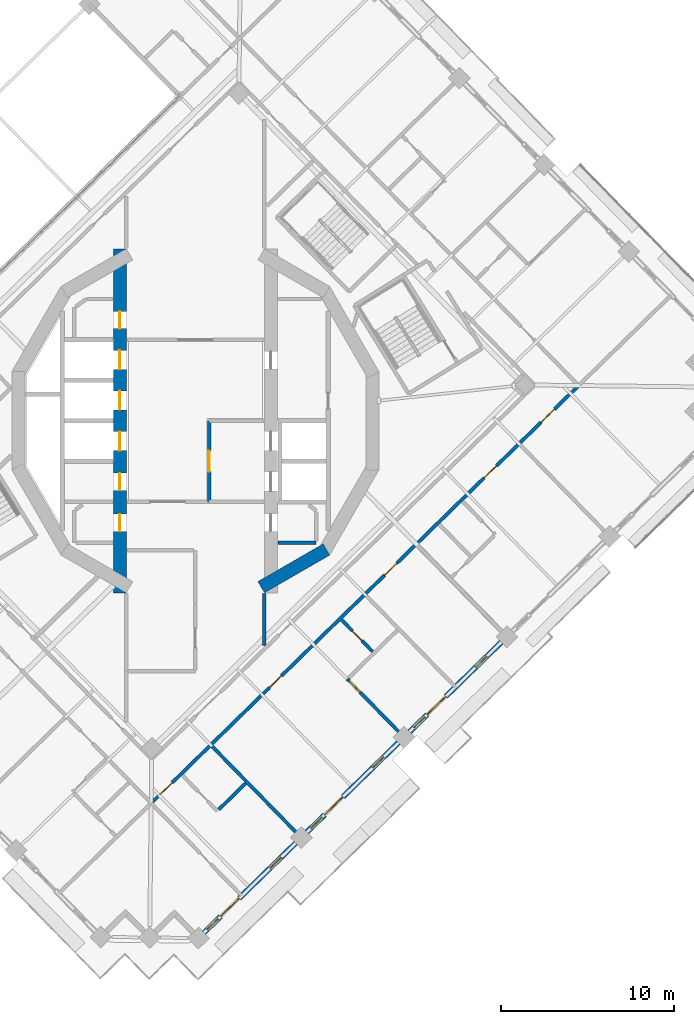
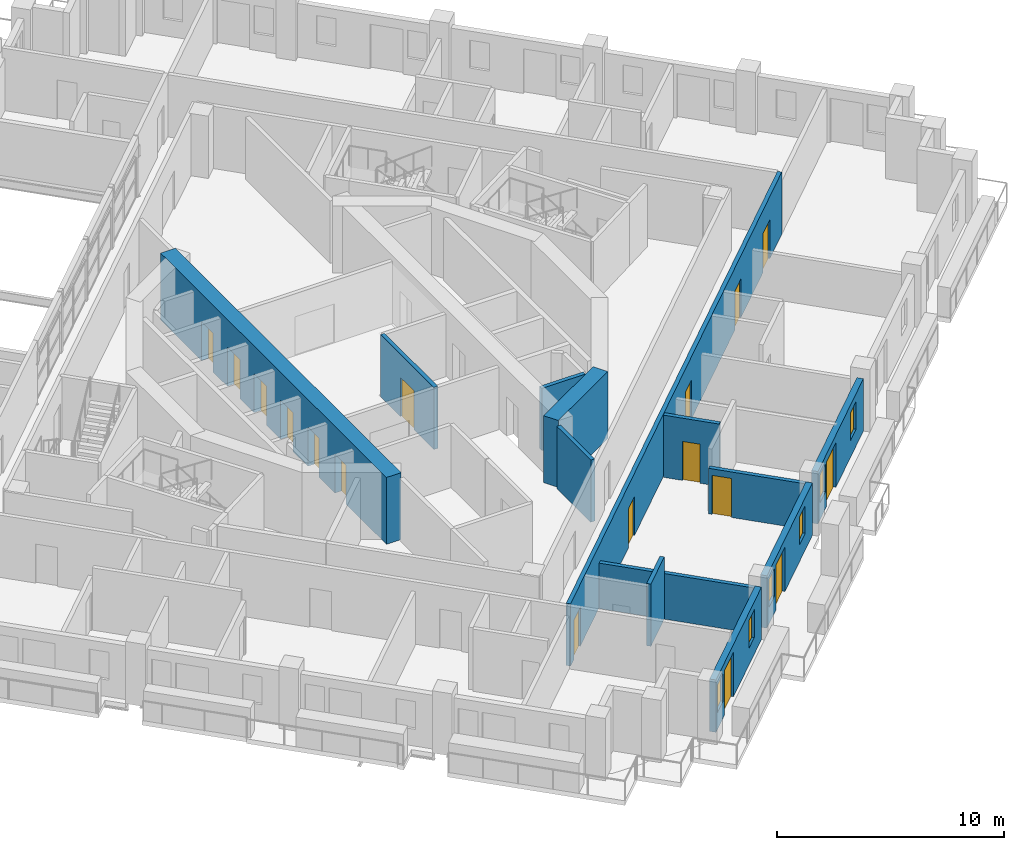
# One storey, part 7 of 19: 17 doors, 13 walls, 6 windows, 23 openings.
"""IFC4 building model written with IfcOpenShell, lengths in metres."""

from ifc_helpers import new_model, si_unit, direction, frame, frame_2d, origin, place, context, subcontext, project, spatial, rectangle, extrude, material, layer, layer_set, type_object, element, fill, save


model = new_model("IFC4")

# Units and contexts
model_context = context("Model", 3, precision=1e-05, world=origin(), true_north=direction((0.0, 1.0)))
body_context = subcontext(model_context, "Body", "Model", "MODEL_VIEW")
ifc_project = project(units=[si_unit("LENGTHUNIT", "METRE"), si_unit("AREAUNIT", "SQUARE_METRE"), si_unit("VOLUMEUNIT", "CUBIC_METRE"), si_unit("PLANEANGLEUNIT", "RADIAN"), si_unit("MASSUNIT", "GRAM", prefix="KILO")], contexts=[model_context])

# Site, building, storey
site_placement = place(None, origin())
site = spatial("IfcSite", under=ifc_project, at=site_placement, CompositionType="ELEMENT")
building_placement = place(site_placement, origin())
building = spatial("IfcBuilding", under=site, at=building_placement, Name="Cantera Rosa Tower", CompositionType="ELEMENT")
storey_placement = place(building_placement, frame((0.0, 0.0, 223.39990234375)))
storey = spatial("IfcBuildingStorey", under=building, at=storey_placement, Name="L48", CompositionType="ELEMENT", Elevation=223.39990234375)

# Wall, openings, doors
ifc_material_1 = material(Name="Gypsum board partition")
ifc_layer_1 = layer(ifc_material_1, 0.199951171875)
ifc_layer_set_1 = layer_set([ifc_layer_1], Name="CORRIDOR WALL 200 H3350")
wall_type_1 = type_object("IfcWallType", Name="CORRIDOR WALL 200 H3350", PredefinedType="PARTITIONING", material=ifc_layer_set_1)
wall_1_placement = place(storey_placement, frame((-2.469970703125, -22.0556640625, 0.0), z_axis=(0.0, 0.0, 1.0), x_axis=(0.715286619748, 0.698831203946, 0.0)))
wall_1 = element("IfcWall", 1, at=wall_1_placement, inside=storey, type_object=wall_type_1, Name="CORRIDOR WALL L48-058", PredefinedType="PARTITIONING", context=body_context, shape_type="SweptSolid", body=[
    extrude(rectangle(XDim=34.47998046875, YDim=0.199951171875, at=frame_2d((17.239990234375, 0.0))), origin(), (0.0, 0.0, 1.0), 3.35009765625),
])
opening_1_placement = place(wall_1_placement, frame((26.824951171875, 0.0, 0.0)))
opening_1 = element("IfcOpeningElement", 2, at=opening_1_placement, cuts=wall_1, Name="Opening L48-046", PredefinedType="OPENING", context=body_context, shape_type="SweptSolid", body=[
    extrude(rectangle(XDim=1.0, YDim=2.10009765625, at=frame_2d((0.5, 1.050048828125))), frame((0.0, 0.10986328125, 0.0), z_axis=(0.0, -1.0, 0.0), x_axis=(1.0, 0.0, 0.0)), (0.0, 0.0, 1.0), 0.219970703125),
])
opening_2_placement = place(wall_1_placement, frame((9.43994140625, 0.0, 0.0)))
opening_2 = element("IfcOpeningElement", 3, at=opening_2_placement, cuts=wall_1, Name="Opening L48-049", PredefinedType="OPENING", context=body_context, shape_type="SweptSolid", body=[
    extrude(rectangle(XDim=1.0, YDim=2.10009765625, at=frame_2d((0.5, 1.050048828125))), frame((0.0, 0.10986328125, 0.0), z_axis=(0.0, -1.0, 0.0), x_axis=(1.0, 0.0, 0.0)), (0.0, 0.0, 1.0), 0.219970703125),
])
opening_3_placement = place(wall_1_placement, frame((18.760009765625, 0.0, 0.0)))
opening_3 = element("IfcOpeningElement", 4, at=opening_3_placement, cuts=wall_1, Name="Opening L48-052", PredefinedType="OPENING", context=body_context, shape_type="SweptSolid", body=[
    extrude(rectangle(XDim=1.0, YDim=2.10009765625, at=frame_2d((0.5, 1.050048828125))), frame((0.0, 0.10986328125, 0.0), z_axis=(0.0, -1.0, 0.0), x_axis=(1.0, 0.0, 0.0)), (0.0, 0.0, 1.0), 0.219970703125),
])
opening_4_placement = place(wall_1_placement, frame((0.590087890625, 0.0, 0.0)))
opening_4 = element("IfcOpeningElement", 5, at=opening_4_placement, cuts=wall_1, Name="Opening L48-053", PredefinedType="OPENING", context=body_context, shape_type="SweptSolid", body=[
    extrude(rectangle(XDim=1.0, YDim=2.10009765625, at=frame_2d((0.5, 1.050048828125))), frame((0.0, 0.10986328125, 0.0), z_axis=(0.0, -1.0, 0.0), x_axis=(1.0, 0.0, 0.0)), (0.0, 0.0, 1.0), 0.219970703125),
])
opening_5_placement = place(wall_1_placement, frame((31.429931640625, 0.0, 0.0)))
opening_5 = element("IfcOpeningElement", 6, at=opening_5_placement, cuts=wall_1, Name="Opening L48-056", PredefinedType="OPENING", context=body_context, shape_type="SweptSolid", body=[
    extrude(rectangle(XDim=1.10009765625, YDim=2.10009765625, at=frame_2d((0.550048828125, 1.050048828125))), frame((0.0, 0.10986328125, 0.0), z_axis=(0.0, -1.0, 0.0), x_axis=(1.0, 0.0, 0.0)), (0.0, 0.0, 1.0), 0.219970703125),
])
ifc_material_2 = material(Name="Timber door leaf", Category="wood")
door_type_1 = type_object("IfcDoorType", Name="ENTRANCE DOOR 1000x2100", OperationType="NOTDEFINED", PredefinedType="DOOR", material=ifc_material_2)
door_1_placement = place(opening_1_placement, origin())
door_1 = element("IfcDoor", 7, at=door_1_placement, inside=storey, type_object=door_type_1, Name="DOOR L48-046", OperationType="NOTDEFINED", OverallHeight=2.10009765625, OverallWidth=1.0, PredefinedType="DOOR", context=body_context, shape_type="SweptSolid", body=[
    extrude(rectangle(XDim=1.0, YDim=2.10009765625, at=frame_2d((0.5, 1.050048828125))), frame((0.0, 0.02490234375, 0.0), z_axis=(0.0, -1.0, 0.0), x_axis=(1.0, 0.0, 0.0)), (0.0, 0.0, 1.0), 0.050048828125),
])
fill(opening_1, door_1)
door_2_placement = place(opening_2_placement, origin())
door_2 = element("IfcDoor", 8, at=door_2_placement, inside=storey, type_object=door_type_1, Name="DOOR L48-049", OperationType="NOTDEFINED", OverallHeight=2.10009765625, OverallWidth=1.0, PredefinedType="DOOR", context=body_context, shape_type="SweptSolid", body=[
    extrude(rectangle(XDim=1.0, YDim=2.10009765625, at=frame_2d((0.5, 1.050048828125))), frame((0.0, 0.02490234375, 0.0), z_axis=(0.0, -1.0, 0.0), x_axis=(1.0, 0.0, 0.0)), (0.0, 0.0, 1.0), 0.050048828125),
])
fill(opening_2, door_2)
door_3_placement = place(opening_4_placement, origin())
door_3 = element("IfcDoor", 9, at=door_3_placement, inside=storey, type_object=door_type_1, Name="DOOR L48-053", OperationType="NOTDEFINED", OverallHeight=2.10009765625, OverallWidth=1.0, PredefinedType="DOOR", context=body_context, shape_type="SweptSolid", body=[
    extrude(rectangle(XDim=1.0, YDim=2.10009765625, at=frame_2d((0.5, 1.050048828125))), frame((0.0, 0.02490234375, 0.0), z_axis=(0.0, -1.0, 0.0), x_axis=(1.0, 0.0, 0.0)), (0.0, 0.0, 1.0), 0.050048828125),
])
fill(opening_4, door_3)
ifc_material_3 = material(Name="Timber door leaf", Category="wood")
door_type_2 = type_object("IfcDoorType", Name="ROOM DOOR 1000x2100", OperationType="NOTDEFINED", PredefinedType="DOOR", material=ifc_material_3)
door_4_placement = place(opening_3_placement, origin())
door_4 = element("IfcDoor", 10, at=door_4_placement, inside=storey, type_object=door_type_2, Name="DOOR L48-052", OperationType="NOTDEFINED", OverallHeight=2.10009765625, OverallWidth=1.0, PredefinedType="DOOR", context=body_context, shape_type="SweptSolid", body=[
    extrude(rectangle(XDim=1.0, YDim=2.10009765625, at=frame_2d((0.5, 1.050048828125))), frame((0.0, 0.02490234375, 0.0), z_axis=(0.0, -1.0, 0.0), x_axis=(1.0, 0.0, 0.0)), (0.0, 0.0, 1.0), 0.050048828125),
])
fill(opening_3, door_4)
ifc_material_4 = material(Name="Timber door leaf", Category="wood")
door_type_3 = type_object("IfcDoorType", Name="ROOM DOOR 1100x2100", OperationType="NOTDEFINED", PredefinedType="DOOR", material=ifc_material_4)
door_5_placement = place(opening_5_placement, origin())
door_5 = element("IfcDoor", 11, at=door_5_placement, inside=storey, type_object=door_type_3, Name="DOOR L48-056", OperationType="NOTDEFINED", OverallHeight=2.10009765625, OverallWidth=1.10009765625, PredefinedType="DOOR", context=body_context, shape_type="SweptSolid", body=[
    extrude(rectangle(XDim=1.10009765625, YDim=2.10009765625, at=frame_2d((0.550048828125, 1.050048828125))), frame((0.0, 0.02490234375, 0.0), z_axis=(0.0, -1.0, 0.0), x_axis=(1.0, 0.0, 0.0)), (0.0, 0.0, 1.0), 0.050048828125),
])
fill(opening_5, door_5)

# Wall
wall_2_placement = place(storey_placement, frame((4.0, -12.998046875, 0.0), z_axis=(0.0, 0.0, 1.0), x_axis=(0.0, 1.0, 0.0)))
element("IfcWall", 12, at=wall_2_placement, inside=storey, type_object=wall_type_1, Name="CORRIDOR WALL L48-079", PredefinedType="PARTITIONING", context=body_context, shape_type="SweptSolid", body=[
    extrude(rectangle(XDim=3.00390625, YDim=0.199951171875, at=frame_2d((1.501953125, 0.0))), origin(), (0.0, 0.0, 1.0), 3.35009765625),
])

# Wall, openings, windows, door
ifc_material_5 = material(Name="Hollow clay masonry with cantera stone cladding", Category="masonry")
ifc_layer_2 = layer(ifc_material_5, 0.300048828125)
ifc_layer_set_2 = layer_set([ifc_layer_2], Name="EW-LOGGIA 300 H2820")
wall_type_2 = type_object("IfcWallType", Name="EW-LOGGIA 300 H2820", PredefinedType="SOLIDWALL", material=ifc_layer_set_2)
wall_3_placement = place(storey_placement, frame((0.503662109375, -29.6357421875, 0.0), z_axis=(0.0, 0.0, 1.0), x_axis=(0.715284379566, 0.698833496871, 0.0)))
wall_3 = element("IfcWall", 13, at=wall_3_placement, inside=storey, type_object=wall_type_2, Name="EN-L48-W21", PredefinedType="SOLIDWALL", context=body_context, shape_type="SweptSolid", body=[
    extrude(rectangle(XDim=7.42041015625, YDim=0.300048828125, at=frame_2d((3.710205078125, 0.0))), origin(), (0.0, 0.0, 1.0), 2.820068359375),
])
opening_6_placement = place(wall_3_placement, frame((0.25, 0.0, 0.89990234375)))
opening_6 = element("IfcOpeningElement", 14, at=opening_6_placement, cuts=wall_3, Name="Opening L48-W37", PredefinedType="OPENING", context=body_context, shape_type="SweptSolid", body=[
    extrude(rectangle(XDim=0.89990234375, YDim=1.5, at=frame_2d((0.449951171875, 0.75))), frame((0.0, 0.159912109375, 0.0), z_axis=(0.0, -1.0, 0.0), x_axis=(1.0, 0.0, 0.0)), (0.0, 0.0, 1.0), 0.320068359375),
])
opening_7_placement = place(wall_3_placement, frame((1.35009765625, 0.0, 0.0)))
opening_7 = element("IfcOpeningElement", 15, at=opening_7_placement, cuts=wall_3, Name="Opening L48-TD38", PredefinedType="OPENING", context=body_context, shape_type="SweptSolid", body=[
    extrude(rectangle(XDim=1.5, YDim=2.39990234375, at=frame_2d((0.75, 1.199951171875))), frame((0.0, 0.159912109375, 0.0), z_axis=(0.0, -1.0, 0.0), x_axis=(1.0, 0.0, 0.0)), (0.0, 0.0, 1.0), 0.320068359375),
])
opening_8_placement = place(wall_3_placement, frame((5.340087890625, 0.0, 0.89990234375)))
opening_8 = element("IfcOpeningElement", 16, at=opening_8_placement, cuts=wall_3, Name="Opening L48-W39", PredefinedType="OPENING", context=body_context, shape_type="SweptSolid", body=[
    extrude(rectangle(XDim=0.89990234375, YDim=1.5, at=frame_2d((0.449951171875, 0.75))), frame((0.0, 0.159912109375, 0.0), z_axis=(0.0, -1.0, 0.0), x_axis=(1.0, 0.0, 0.0)), (0.0, 0.0, 1.0), 0.320068359375),
])
ifc_material_6 = material(Name="Aluminium frame with clear glass", Category="aluminium")
window_type = type_object("IfcWindowType", Name="Residential window 900x1500", PartitioningType="SINGLE_PANEL", PredefinedType="WINDOW", material=ifc_material_6)
window_1_placement = place(opening_6_placement, origin())
window_1 = element("IfcWindow", 17, at=window_1_placement, inside=storey, type_object=window_type, Name="WINDOW L48-W37", OverallHeight=1.5, OverallWidth=0.89990234375, PartitioningType="SINGLE_PANEL", PredefinedType="WINDOW", context=body_context, shape_type="SweptSolid", body=[
    extrude(rectangle(XDim=0.89990234375, YDim=1.5, at=frame_2d((0.449951171875, 0.75))), frame((0.0, 0.030029296875, 0.0), z_axis=(0.0, -1.0, 0.0), x_axis=(1.0, 0.0, 0.0)), (0.0, 0.0, 1.0), 0.06005859375),
])
fill(opening_6, window_1)
window_2_placement = place(opening_8_placement, origin())
window_2 = element("IfcWindow", 18, at=window_2_placement, inside=storey, type_object=window_type, Name="WINDOW L48-W39", OverallHeight=1.5, OverallWidth=0.89990234375, PartitioningType="SINGLE_PANEL", PredefinedType="WINDOW", context=body_context, shape_type="SweptSolid", body=[
    extrude(rectangle(XDim=0.89990234375, YDim=1.5, at=frame_2d((0.449951171875, 0.75))), frame((0.0, 0.030029296875, 0.0), z_axis=(0.0, -1.0, 0.0), x_axis=(1.0, 0.0, 0.0)), (0.0, 0.0, 1.0), 0.06005859375),
])
fill(opening_8, window_2)
ifc_material_7 = material(Name="Aluminium frame with clear glass", Category="aluminium")
door_type_4 = type_object("IfcDoorType", Name="TD-R 1500x2400", OperationType="NOTDEFINED", PredefinedType="DOOR", material=ifc_material_7)
door_6_placement = place(opening_7_placement, origin())
door_6 = element("IfcDoor", 19, at=door_6_placement, inside=storey, type_object=door_type_4, Name="LOGGIA DOOR L48-TD38", OperationType="SLIDING_TO_LEFT", OverallHeight=2.39990234375, OverallWidth=1.5, PredefinedType="DOOR", context=body_context, shape_type="SweptSolid", body=[
    extrude(rectangle(XDim=1.5, YDim=2.39990234375, at=frame_2d((0.75, 1.199951171875))), frame((0.0, 0.02490234375, 0.0), z_axis=(0.0, -1.0, 0.0), x_axis=(1.0, 0.0, 0.0)), (0.0, 0.0, 1.0), 0.050048828125),
])
fill(opening_7, door_6)

wall_4_placement = place(storey_placement, frame((6.454833984375, -23.8212890625, 0.0), z_axis=(0.0, 0.0, 1.0), x_axis=(0.715300826176, 0.698816662703, 0.0)))
wall_4 = element("IfcWall", 20, at=wall_4_placement, inside=storey, type_object=wall_type_2, Name="EN-L48-W22", PredefinedType="SOLIDWALL", context=body_context, shape_type="SweptSolid", body=[
    extrude(rectangle(XDim=7.420166015625, YDim=0.300048828125, at=frame_2d((3.7099609375, 0.0))), origin(), (0.0, 0.0, 1.0), 2.820068359375),
])
opening_9_placement = place(wall_4_placement, frame((0.330078125, 0.0, 0.89990234375)))
opening_9 = element("IfcOpeningElement", 21, at=opening_9_placement, cuts=wall_4, Name="Opening L48-W40", PredefinedType="OPENING", context=body_context, shape_type="SweptSolid", body=[
    extrude(rectangle(XDim=0.89990234375, YDim=1.5, at=frame_2d((0.449951171875, 0.75))), frame((0.0, 0.159912109375, 0.0), z_axis=(0.0, -1.0, 0.0), x_axis=(1.0, 0.0, 0.0)), (0.0, 0.0, 1.0), 0.320068359375),
])
opening_10_placement = place(wall_4_placement, frame((1.429931640625, 0.0, 0.0)))
opening_10 = element("IfcOpeningElement", 22, at=opening_10_placement, cuts=wall_4, Name="Opening L48-TD41", PredefinedType="OPENING", context=body_context, shape_type="SweptSolid", body=[
    extrude(rectangle(XDim=1.5, YDim=2.39990234375, at=frame_2d((0.75, 1.199951171875))), frame((0.0, 0.159912109375, 0.0), z_axis=(0.0, -1.0, 0.0), x_axis=(1.0, 0.0, 0.0)), (0.0, 0.0, 1.0), 0.320068359375),
])
opening_11_placement = place(wall_4_placement, frame((5.340087890625, 0.0, 0.89990234375)))
opening_11 = element("IfcOpeningElement", 23, at=opening_11_placement, cuts=wall_4, Name="Opening L48-W42", PredefinedType="OPENING", context=body_context, shape_type="SweptSolid", body=[
    extrude(rectangle(XDim=0.89990234375, YDim=1.5, at=frame_2d((0.449951171875, 0.75))), frame((0.0, 0.159912109375, 0.0), z_axis=(0.0, -1.0, 0.0), x_axis=(1.0, 0.0, 0.0)), (0.0, 0.0, 1.0), 0.320068359375),
])
window_3_placement = place(opening_9_placement, origin())
window_3 = element("IfcWindow", 24, at=window_3_placement, inside=storey, type_object=window_type, Name="WINDOW L48-W40", OverallHeight=1.5, OverallWidth=0.89990234375, PartitioningType="SINGLE_PANEL", PredefinedType="WINDOW", context=body_context, shape_type="SweptSolid", body=[
    extrude(rectangle(XDim=0.89990234375, YDim=1.5, at=frame_2d((0.449951171875, 0.75))), frame((0.0, 0.030029296875, 0.0), z_axis=(0.0, -1.0, 0.0), x_axis=(1.0, 0.0, 0.0)), (0.0, 0.0, 1.0), 0.06005859375),
])
fill(opening_9, window_3)
window_4_placement = place(opening_11_placement, origin())
window_4 = element("IfcWindow", 25, at=window_4_placement, inside=storey, type_object=window_type, Name="WINDOW L48-W42", OverallHeight=1.5, OverallWidth=0.89990234375, PartitioningType="SINGLE_PANEL", PredefinedType="WINDOW", context=body_context, shape_type="SweptSolid", body=[
    extrude(rectangle(XDim=0.89990234375, YDim=1.5, at=frame_2d((0.449951171875, 0.75))), frame((0.0, 0.030029296875, 0.0), z_axis=(0.0, -1.0, 0.0), x_axis=(1.0, 0.0, 0.0)), (0.0, 0.0, 1.0), 0.06005859375),
])
fill(opening_11, window_4)
door_7_placement = place(opening_10_placement, origin())
door_7 = element("IfcDoor", 26, at=door_7_placement, inside=storey, type_object=door_type_4, Name="LOGGIA DOOR L48-TD41", OperationType="SLIDING_TO_LEFT", OverallHeight=2.39990234375, OverallWidth=1.5, PredefinedType="DOOR", context=body_context, shape_type="SweptSolid", body=[
    extrude(rectangle(XDim=1.5, YDim=2.39990234375, at=frame_2d((0.75, 1.199951171875))), frame((0.0, 0.02490234375, 0.0), z_axis=(0.0, -1.0, 0.0), x_axis=(1.0, 0.0, 0.0)), (0.0, 0.0, 1.0), 0.050048828125),
])
fill(opening_10, door_7)

wall_5_placement = place(storey_placement, frame((12.406005859375, -18.007080078125, 0.0), z_axis=(0.0, 0.0, 1.0), x_axis=(0.715300826176, 0.698816662703, 0.0)))
wall_5 = element("IfcWall", 27, at=wall_5_placement, inside=storey, type_object=wall_type_2, Name="EN-L48-W23", PredefinedType="SOLIDWALL", context=body_context, shape_type="SweptSolid", body=[
    extrude(rectangle(XDim=7.420166015625, YDim=0.300048828125, at=frame_2d((3.7099609375, 0.0))), origin(), (0.0, 0.0, 1.0), 2.820068359375),
])
opening_12_placement = place(wall_5_placement, frame((0.330078125, 0.0, 0.89990234375)))
opening_12 = element("IfcOpeningElement", 28, at=opening_12_placement, cuts=wall_5, Name="Opening L48-W43", PredefinedType="OPENING", context=body_context, shape_type="SweptSolid", body=[
    extrude(rectangle(XDim=0.89990234375, YDim=1.5, at=frame_2d((0.449951171875, 0.75))), frame((0.0, 0.159912109375, 0.0), z_axis=(0.0, -1.0, 0.0), x_axis=(1.0, 0.0, 0.0)), (0.0, 0.0, 1.0), 0.320068359375),
])
opening_13_placement = place(wall_5_placement, frame((1.429931640625, 0.0, 0.0)))
opening_13 = element("IfcOpeningElement", 29, at=opening_13_placement, cuts=wall_5, Name="Opening L48-TD44", PredefinedType="OPENING", context=body_context, shape_type="SweptSolid", body=[
    extrude(rectangle(XDim=1.5, YDim=2.39990234375, at=frame_2d((0.75, 1.199951171875))), frame((0.0, 0.159912109375, 0.0), z_axis=(0.0, -1.0, 0.0), x_axis=(1.0, 0.0, 0.0)), (0.0, 0.0, 1.0), 0.320068359375),
])
opening_14_placement = place(wall_5_placement, frame((5.340087890625, 0.0, 0.89990234375)))
opening_14 = element("IfcOpeningElement", 30, at=opening_14_placement, cuts=wall_5, Name="Opening L48-W45", PredefinedType="OPENING", context=body_context, shape_type="SweptSolid", body=[
    extrude(rectangle(XDim=0.89990234375, YDim=1.5, at=frame_2d((0.449951171875, 0.75))), frame((0.0, 0.159912109375, 0.0), z_axis=(0.0, -1.0, 0.0), x_axis=(1.0, 0.0, 0.0)), (0.0, 0.0, 1.0), 0.320068359375),
])
window_5_placement = place(opening_12_placement, origin())
window_5 = element("IfcWindow", 31, at=window_5_placement, inside=storey, type_object=window_type, Name="WINDOW L48-W43", OverallHeight=1.5, OverallWidth=0.89990234375, PartitioningType="SINGLE_PANEL", PredefinedType="WINDOW", context=body_context, shape_type="SweptSolid", body=[
    extrude(rectangle(XDim=0.89990234375, YDim=1.5, at=frame_2d((0.449951171875, 0.75))), frame((0.0, 0.030029296875, 0.0), z_axis=(0.0, -1.0, 0.0), x_axis=(1.0, 0.0, 0.0)), (0.0, 0.0, 1.0), 0.06005859375),
])
fill(opening_12, window_5)
window_6_placement = place(opening_14_placement, origin())
window_6 = element("IfcWindow", 32, at=window_6_placement, inside=storey, type_object=window_type, Name="WINDOW L48-W45", OverallHeight=1.5, OverallWidth=0.89990234375, PartitioningType="SINGLE_PANEL", PredefinedType="WINDOW", context=body_context, shape_type="SweptSolid", body=[
    extrude(rectangle(XDim=0.89990234375, YDim=1.5, at=frame_2d((0.449951171875, 0.75))), frame((0.0, 0.030029296875, 0.0), z_axis=(0.0, -1.0, 0.0), x_axis=(1.0, 0.0, 0.0)), (0.0, 0.0, 1.0), 0.06005859375),
])
fill(opening_14, window_6)
door_8_placement = place(opening_13_placement, origin())
door_8 = element("IfcDoor", 33, at=door_8_placement, inside=storey, type_object=door_type_4, Name="LOGGIA DOOR L48-TD44", OperationType="SLIDING_TO_LEFT", OverallHeight=2.39990234375, OverallWidth=1.5, PredefinedType="DOOR", context=body_context, shape_type="SweptSolid", body=[
    extrude(rectangle(XDim=1.5, YDim=2.39990234375, at=frame_2d((0.75, 1.199951171875))), frame((0.0, 0.02490234375, 0.0), z_axis=(0.0, -1.0, 0.0), x_axis=(1.0, 0.0, 0.0)), (0.0, 0.0, 1.0), 0.050048828125),
])
fill(opening_13, door_8)

# Wall, opening, door
ifc_material_8 = material(Name="Gypsum board partition")
ifc_layer_3 = layer(ifc_material_8, 0.199951171875)
ifc_layer_set_3 = layer_set([ifc_layer_3], Name="PARTITION 200 H2450")
wall_type_3 = type_object("IfcWallType", Name="PARTITION 200 H2450", PredefinedType="PARTITIONING", material=ifc_layer_set_3)
wall_6_placement = place(storey_placement, frame((12.063232421875, -18.300048828125, 0.0), z_axis=(0.0, 0.0, 1.0), x_axis=(-0.698824761261, 0.71529291416, 0.0)))
wall_6 = element("IfcWall", 34, at=wall_6_placement, inside=storey, type_object=wall_type_3, Name="PARTITION L48-106", PredefinedType="PARTITIONING", context=body_context, shape_type="SweptSolid", body=[
    extrude(rectangle(XDim=4.669921875, YDim=0.199951171875, at=frame_2d((2.3349609375, 0.0))), origin(), (0.0, 0.0, 1.0), 2.4501953125),
])
opening_15_placement = place(wall_6_placement, frame((3.6201171875, 0.0, 0.0)))
opening_15 = element("IfcOpeningElement", 35, at=opening_15_placement, cuts=wall_6, Name="Opening L48-051", PredefinedType="OPENING", context=body_context, shape_type="SweptSolid", body=[
    extrude(rectangle(XDim=0.89990234375, YDim=2.10009765625, at=frame_2d((0.449951171875, 1.050048828125))), frame((0.0, 0.10986328125, 0.0), z_axis=(0.0, -1.0, 0.0), x_axis=(1.0, 0.0, 0.0)), (0.0, 0.0, 1.0), 0.219970703125),
])
ifc_material_9 = material(Name="Timber door leaf", Category="wood")
door_type_5 = type_object("IfcDoorType", Name="ROOM DOOR 900x2100", OperationType="NOTDEFINED", PredefinedType="DOOR", material=ifc_material_9)
door_9_placement = place(opening_15_placement, origin())
door_9 = element("IfcDoor", 36, at=door_9_placement, inside=storey, type_object=door_type_5, Name="DOOR L48-051", OperationType="NOTDEFINED", OverallHeight=2.10009765625, OverallWidth=0.89990234375, PredefinedType="DOOR", context=body_context, shape_type="SweptSolid", body=[
    extrude(rectangle(XDim=0.89990234375, YDim=2.10009765625, at=frame_2d((0.449951171875, 1.050048828125))), frame((0.0, 0.02490234375, 0.0), z_axis=(0.0, -1.0, 0.0), x_axis=(1.0, 0.0, 0.0)), (0.0, 0.0, 1.0), 0.050048828125),
])
fill(opening_15, door_9)

# Walls
ifc_material_10 = material(Name="Gypsum board partition")
ifc_layer_4 = layer(ifc_material_10, 0.199951171875)
ifc_layer_set_4 = layer_set([ifc_layer_4], Name="PARTITION 200 H3350")
wall_type_4 = type_object("IfcWallType", Name="PARTITION 200 H3350", PredefinedType="PARTITIONING", material=ifc_layer_set_4)
wall_7_placement = place(storey_placement, frame((2.916748046875, -20.98681640625, 0.0), z_axis=(0.0, 0.0, 1.0), x_axis=(-0.715234272025, -0.69888478029, 0.0)))
element("IfcWall", 37, at=wall_7_placement, inside=storey, type_object=wall_type_4, Name="PARTITION L48-077", PredefinedType="PARTITIONING", context=body_context, shape_type="SweptSolid", body=[
    extrude(rectangle(XDim=2.18017578125, YDim=0.199951171875, at=frame_2d((1.090087890625, 0.0))), origin(), (0.0, 0.0, 1.0), 3.35009765625),
])
wall_8_placement = place(storey_placement, frame((7.0, -7.050048828125, 0.0), z_axis=(0.0, 0.0, 1.0), x_axis=(-1.0, 0.0, 0.0)))
element("IfcWall", 38, at=wall_8_placement, inside=storey, type_object=wall_type_4, Name="PARTITION L48-088", PredefinedType="PARTITIONING", context=body_context, shape_type="SweptSolid", body=[
    extrude(rectangle(XDim=2.219970703125, YDim=0.199951171875, at=frame_2d((1.10986328125, 0.0))), origin(), (0.0, 0.0, 1.0), 3.35009765625),
])

# Wall, opening, door
wall_9_placement = place(storey_placement, frame((10.260986328125, -13.364501953125, 0.0), z_axis=(0.0, 0.0, 1.0), x_axis=(-0.698809886965, 0.715307445705, 0.0)))
wall_9 = element("IfcWall", 39, at=wall_9_placement, inside=storey, type_object=wall_type_4, Name="PARTITION L48-099", PredefinedType="PARTITIONING", context=body_context, shape_type="SweptSolid", body=[
    extrude(rectangle(XDim=2.56005859375, YDim=0.199951171875, at=frame_2d((1.280029296875, 0.0))), origin(), (0.0, 0.0, 1.0), 3.35009765625),
])
opening_16_placement = place(wall_9_placement, frame((0.8798828125, 0.0, 0.0)))
opening_16 = element("IfcOpeningElement", 40, at=opening_16_placement, cuts=wall_9, Name="Opening L48-050", PredefinedType="OPENING", context=body_context, shape_type="SweptSolid", body=[
    extrude(rectangle(XDim=0.800048828125, YDim=2.10009765625, at=frame_2d((0.39990234375, 1.050048828125))), frame((0.0, 0.10986328125, 0.0), z_axis=(0.0, -1.0, 0.0), x_axis=(1.0, 0.0, 0.0)), (0.0, 0.0, 1.0), 0.219970703125),
])
ifc_material_11 = material(Name="Timber door leaf", Category="wood")
door_type_6 = type_object("IfcDoorType", Name="BATHROOM DOOR 800x2100", OperationType="NOTDEFINED", PredefinedType="DOOR", material=ifc_material_11)
door_10_placement = place(opening_16_placement, origin())
door_10 = element("IfcDoor", 41, at=door_10_placement, inside=storey, type_object=door_type_6, Name="DOOR L48-050", OperationType="NOTDEFINED", OverallHeight=2.10009765625, OverallWidth=0.800048828125, PredefinedType="DOOR", context=body_context, shape_type="SweptSolid", body=[
    extrude(rectangle(XDim=0.800048828125, YDim=2.10009765625, at=frame_2d((0.39990234375, 1.050048828125))), frame((0.0, 0.02490234375, 0.0), z_axis=(0.0, -1.0, 0.0), x_axis=(1.0, 0.0, 0.0)), (0.0, 0.0, 1.0), 0.050048828125),
])
fill(opening_16, door_10)

# Wall
ifc_material_12 = material(Name="Gypsum board partition")
ifc_layer_5 = layer(ifc_material_12, 0.199951171875)
ifc_layer_set_5 = layer_set([ifc_layer_5], Name="PARTY WALL 200 H2450")
wall_type_5 = type_object("IfcWallType", Name="PARTY WALL 200 H2450", PredefinedType="PARTITIONING", material=ifc_layer_set_5)
wall_10_placement = place(storey_placement, frame((6.112060546875, -24.114501953125, 0.0), z_axis=(0.0, 0.0, 1.0), x_axis=(-0.698821349183, 0.715296247667, 0.0)))
element("IfcWall", 42, at=wall_10_placement, inside=storey, type_object=wall_type_5, Name="PARTY WALL L48-085", PredefinedType="PARTITIONING", context=body_context, shape_type="SweptSolid", body=[
    extrude(rectangle(XDim=7.35009765625, YDim=0.199951171875, at=frame_2d((3.675048828125, 0.0))), origin(), (0.0, 0.0, 1.0), 2.4501953125),
])

# Wall, openings, doors
ifc_material_13 = material(Name="Concrete C60/75", Category="concrete")
ifc_layer_6 = layer(ifc_material_13, 0.75)
ifc_layer_set_6 = layer_set([ifc_layer_6], Name="RC CORE WALL 750 C60/75")
wall_type_6 = type_object("IfcWallType", Name="RC CORE WALL 750 C60/75", PredefinedType="SHEAR", material=ifc_layer_set_6)
wall_11_placement = place(storey_placement, frame((-4.375, 9.95947265625, 0.0), z_axis=(0.0, 0.0, 1.0), x_axis=(0.0, -1.0, 0.0)))
wall_11 = element("IfcWall", 43, at=wall_11_placement, inside=storey, type_object=wall_type_6, Name="CW-W6 L48", PredefinedType="SHEAR", context=body_context, shape_type="SweptSolid", body=[
    extrude(rectangle(XDim=19.9189453125, YDim=0.75, at=frame_2d((9.95947265625, 0.0))), origin(), (0.0, 0.0, 1.0), 3.60009765625),
])
opening_17_placement = place(wall_11_placement, frame((10.58447265625, 0.0, 0.0)))
opening_17 = element("IfcOpeningElement", 44, at=opening_17_placement, cuts=wall_11, Name="Opening LD-H1-L48", PredefinedType="OPENING", context=body_context, shape_type="SweptSolid", body=[
    extrude(rectangle(XDim=1.10009765625, YDim=2.10009765625, at=frame_2d((0.550048828125, 1.050048828125))), frame((0.0, 0.385009765625, 0.0), z_axis=(0.0, -1.0, 0.0), x_axis=(1.0, 0.0, 0.0)), (0.0, 0.0, 1.0), 0.77001953125),
])
opening_18_placement = place(wall_11_placement, frame((8.234619140625, 0.0, 0.0)))
opening_18 = element("IfcOpeningElement", 45, at=opening_18_placement, cuts=wall_11, Name="Opening LD-H2-L48", PredefinedType="OPENING", context=body_context, shape_type="SweptSolid", body=[
    extrude(rectangle(XDim=1.10009765625, YDim=2.10009765625, at=frame_2d((0.550048828125, 1.050048828125))), frame((0.0, 0.385009765625, 0.0), z_axis=(0.0, -1.0, 0.0), x_axis=(1.0, 0.0, 0.0)), (0.0, 0.0, 1.0), 0.77001953125),
])
opening_19_placement = place(wall_11_placement, frame((5.884521484375, 0.0, 0.0)))
opening_19 = element("IfcOpeningElement", 46, at=opening_19_placement, cuts=wall_11, Name="Opening LD-H3-L48", PredefinedType="OPENING", context=body_context, shape_type="SweptSolid", body=[
    extrude(rectangle(XDim=1.10009765625, YDim=2.10009765625, at=frame_2d((0.550048828125, 1.050048828125))), frame((0.0, 0.385009765625, 0.0), z_axis=(0.0, -1.0, 0.0), x_axis=(1.0, 0.0, 0.0)), (0.0, 0.0, 1.0), 0.77001953125),
])
opening_20_placement = place(wall_11_placement, frame((15.368408203125, 0.0, 0.0)))
opening_20 = element("IfcOpeningElement", 47, at=opening_20_placement, cuts=wall_11, Name="Opening SD-L48-18", PredefinedType="OPENING", context=body_context, shape_type="SweptSolid", body=[
    extrude(rectangle(XDim=1.0, YDim=2.10009765625, at=frame_2d((0.5, 1.050048828125))), frame((0.0, 0.385009765625, 0.0), z_axis=(0.0, -1.0, 0.0), x_axis=(1.0, 0.0, 0.0)), (0.0, 0.0, 1.0), 0.77001953125),
])
opening_21_placement = place(wall_11_placement, frame((3.618408203125, 0.0, 0.0)))
opening_21 = element("IfcOpeningElement", 48, at=opening_21_placement, cuts=wall_11, Name="Opening SD-L48-19", PredefinedType="OPENING", context=body_context, shape_type="SweptSolid", body=[
    extrude(rectangle(XDim=1.0, YDim=2.10009765625, at=frame_2d((0.5, 1.050048828125))), frame((0.0, 0.385009765625, 0.0), z_axis=(0.0, -1.0, 0.0), x_axis=(1.0, 0.0, 0.0)), (0.0, 0.0, 1.0), 0.77001953125),
])
opening_22_placement = place(wall_11_placement, frame((12.984619140625, 0.0, 0.0)))
opening_22 = element("IfcOpeningElement", 49, at=opening_22_placement, cuts=wall_11, Name="Opening SD-L48-20", PredefinedType="OPENING", context=body_context, shape_type="SweptSolid", body=[
    extrude(rectangle(XDim=1.0, YDim=2.10009765625, at=frame_2d((0.5, 1.050048828125))), frame((0.0, 0.385009765625, 0.0), z_axis=(0.0, -1.0, 0.0), x_axis=(1.0, 0.0, 0.0)), (0.0, 0.0, 1.0), 0.77001953125),
])
ifc_material_14 = material(Name="Steel S355J2 (EN 10025-2)", Category="steel")
door_type_7 = type_object("IfcDoorType", Name="LANDING DOOR 1100x2100", OperationType="NOTDEFINED", PredefinedType="DOOR", material=ifc_material_14)
door_11_placement = place(opening_17_placement, origin())
door_11 = element("IfcDoor", 50, at=door_11_placement, inside=storey, type_object=door_type_7, Name="LANDING DOOR H1 L48", OperationType="SLIDING_TO_LEFT", OverallHeight=2.10009765625, OverallWidth=1.10009765625, PredefinedType="DOOR", context=body_context, shape_type="SweptSolid", body=[
    extrude(rectangle(XDim=1.10009765625, YDim=2.10009765625, at=frame_2d((0.550048828125, 1.050048828125))), frame((0.0, 0.02490234375, 0.0), z_axis=(0.0, -1.0, 0.0), x_axis=(1.0, 0.0, 0.0)), (0.0, 0.0, 1.0), 0.050048828125),
])
fill(opening_17, door_11)
door_12_placement = place(opening_18_placement, origin())
door_12 = element("IfcDoor", 51, at=door_12_placement, inside=storey, type_object=door_type_7, Name="LANDING DOOR H2 L48", OperationType="SLIDING_TO_LEFT", OverallHeight=2.10009765625, OverallWidth=1.10009765625, PredefinedType="DOOR", context=body_context, shape_type="SweptSolid", body=[
    extrude(rectangle(XDim=1.10009765625, YDim=2.10009765625, at=frame_2d((0.550048828125, 1.050048828125))), frame((0.0, 0.02490234375, 0.0), z_axis=(0.0, -1.0, 0.0), x_axis=(1.0, 0.0, 0.0)), (0.0, 0.0, 1.0), 0.050048828125),
])
fill(opening_18, door_12)
door_13_placement = place(opening_19_placement, origin())
door_13 = element("IfcDoor", 52, at=door_13_placement, inside=storey, type_object=door_type_7, Name="LANDING DOOR H3 L48", OperationType="SLIDING_TO_LEFT", OverallHeight=2.10009765625, OverallWidth=1.10009765625, PredefinedType="DOOR", context=body_context, shape_type="SweptSolid", body=[
    extrude(rectangle(XDim=1.10009765625, YDim=2.10009765625, at=frame_2d((0.550048828125, 1.050048828125))), frame((0.0, 0.02490234375, 0.0), z_axis=(0.0, -1.0, 0.0), x_axis=(1.0, 0.0, 0.0)), (0.0, 0.0, 1.0), 0.050048828125),
])
fill(opening_19, door_13)
ifc_material_15 = material(Name="Timber door leaf", Category="wood")
door_type_8 = type_object("IfcDoorType", Name="SERVICE DOOR 1000x2100", OperationType="NOTDEFINED", PredefinedType="DOOR", material=ifc_material_15)
door_14_placement = place(opening_20_placement, origin())
door_14 = element("IfcDoor", 53, at=door_14_placement, inside=storey, type_object=door_type_8, Name="DOOR L48-SD18", OperationType="NOTDEFINED", OverallHeight=2.10009765625, OverallWidth=1.0, PredefinedType="DOOR", context=body_context, shape_type="SweptSolid", body=[
    extrude(rectangle(XDim=1.0, YDim=2.10009765625, at=frame_2d((0.5, 1.050048828125))), frame((0.0, 0.02490234375, 0.0), z_axis=(0.0, -1.0, 0.0), x_axis=(1.0, 0.0, 0.0)), (0.0, 0.0, 1.0), 0.050048828125),
])
fill(opening_20, door_14)
door_15_placement = place(opening_21_placement, origin())
door_15 = element("IfcDoor", 54, at=door_15_placement, inside=storey, type_object=door_type_8, Name="DOOR L48-SD19", OperationType="NOTDEFINED", OverallHeight=2.10009765625, OverallWidth=1.0, PredefinedType="DOOR", context=body_context, shape_type="SweptSolid", body=[
    extrude(rectangle(XDim=1.0, YDim=2.10009765625, at=frame_2d((0.5, 1.050048828125))), frame((0.0, 0.02490234375, 0.0), z_axis=(0.0, -1.0, 0.0), x_axis=(1.0, 0.0, 0.0)), (0.0, 0.0, 1.0), 0.050048828125),
])
fill(opening_21, door_15)
door_16_placement = place(opening_22_placement, origin())
door_16 = element("IfcDoor", 55, at=door_16_placement, inside=storey, type_object=door_type_8, Name="DOOR L48-SD20", OperationType="NOTDEFINED", OverallHeight=2.10009765625, OverallWidth=1.0, PredefinedType="DOOR", context=body_context, shape_type="SweptSolid", body=[
    extrude(rectangle(XDim=1.0, YDim=2.10009765625, at=frame_2d((0.5, 1.050048828125))), frame((0.0, 0.02490234375, 0.0), z_axis=(0.0, -1.0, 0.0), x_axis=(1.0, 0.0, 0.0)), (0.0, 0.0, 1.0), 0.050048828125),
])
fill(opening_22, door_16)

# Wall
wall_12_placement = place(storey_placement, frame((7.590576171875, -7.453369140625, 0.0), z_axis=(0.0, 0.0, 1.0), x_axis=(-0.866013176292, -0.50002117804, 0.0)))
element("IfcWall", 56, at=wall_12_placement, inside=storey, type_object=wall_type_6, Name="CW-E5 L48", PredefinedType="SHEAR", context=body_context, shape_type="SweptSolid", body=[
    extrude(rectangle(XDim=4.362548828125, YDim=0.75, at=frame_2d((2.18115234375, 0.0))), origin(), (0.0, 0.0, 1.0), 3.60009765625),
])

# Wall, opening, door
ifc_material_16 = material(Name="Concrete C50/60", Category="concrete")
ifc_layer_7 = layer(ifc_material_16, 0.199951171875)
ifc_layer_set_7 = layer_set([ifc_layer_7], Name="STAIR WALL 200 H3350")
wall_type_7 = type_object("IfcWallType", Name="STAIR WALL 200 H3350", PredefinedType="SOLIDWALL", material=ifc_layer_set_7)
wall_13_placement = place(storey_placement, frame((0.800048828125, -4.699951171875, 0.0), z_axis=(0.0, 0.0, 1.0), x_axis=(0.0, 1.0, 0.0)))
wall_13 = element("IfcWall", 57, at=wall_13_placement, inside=storey, type_object=wall_type_7, Name="STAIR WALL L48-066", PredefinedType="SOLIDWALL", context=body_context, shape_type="SweptSolid", body=[
    extrude(rectangle(XDim=4.699951171875, YDim=0.199951171875, at=frame_2d((2.35009765625, 0.0))), origin(), (0.0, 0.0, 1.0), 3.35009765625),
])
opening_23_placement = place(wall_13_placement, frame((1.75, 0.0, 0.0)))
opening_23 = element("IfcOpeningElement", 58, at=opening_23_placement, cuts=wall_13, Name="Opening L48-016", PredefinedType="OPENING", context=body_context, shape_type="SweptSolid", body=[
    extrude(rectangle(XDim=1.199951171875, YDim=2.10009765625, at=frame_2d((0.60009765625, 1.050048828125))), frame((0.0, 0.10986328125, 0.0), z_axis=(0.0, -1.0, 0.0), x_axis=(1.0, 0.0, 0.0)), (0.0, 0.0, 1.0), 0.219970703125),
])
ifc_material_17 = material(Name="Steel S355J2 (EN 10025-2)", Category="steel")
door_type_9 = type_object("IfcDoorType", Name="FIRE DOOR 1200x2100", OperationType="NOTDEFINED", PredefinedType="DOOR", material=ifc_material_17)
door_17_placement = place(opening_23_placement, origin())
door_17 = element("IfcDoor", 59, at=door_17_placement, inside=storey, type_object=door_type_9, Name="DOOR L48-016", OperationType="NOTDEFINED", OverallHeight=2.10009765625, OverallWidth=1.199951171875, PredefinedType="DOOR", context=body_context, shape_type="SweptSolid", body=[
    extrude(rectangle(XDim=1.199951171875, YDim=2.10009765625, at=frame_2d((0.60009765625, 1.050048828125))), frame((0.0, 0.02490234375, 0.0), z_axis=(0.0, -1.0, 0.0), x_axis=(1.0, 0.0, 0.0)), (0.0, 0.0, 1.0), 0.050048828125),
])
fill(opening_23, door_17)

save(model, "model.ifc")
